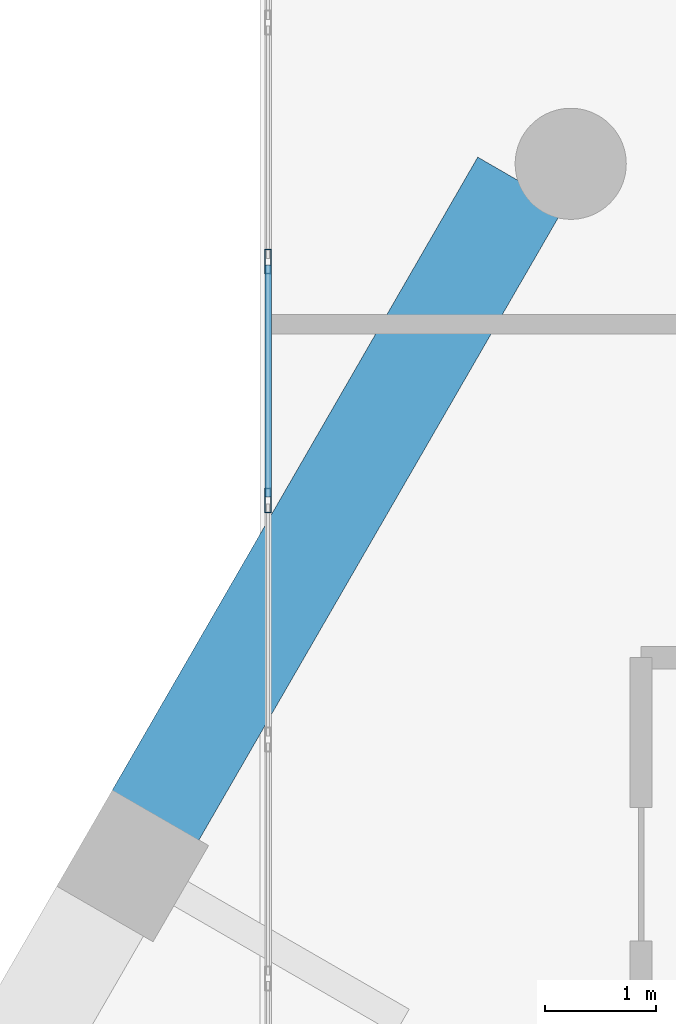
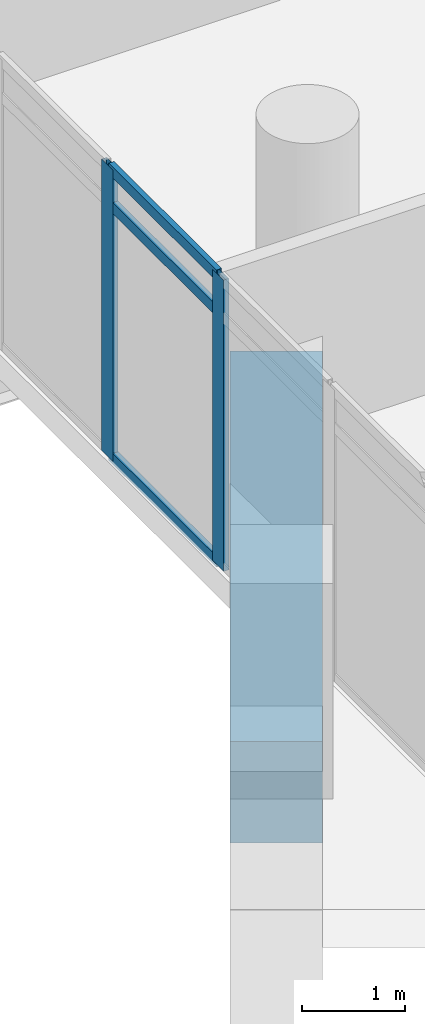
# One storey, part 13 of 29: 5 members, 1 beam, 1 element without a shape of its own.
"""IFC4 building model written with IfcOpenShell, lengths in metres."""

import ifcopenshell
import ifcopenshell.guid

model = None  # the IFC model being written
_history = None  # IfcOwnerHistory: only IFC2X3 demands one
_inside = {}  # id of a spatial element -> (the spatial element, [elements in it])
_under = {}  # id of a project, library or spatial element -> (it, [spatial elements below it])
_declared = {}  # id of a project -> (the project, [libraries it declares])
_typed = {}  # id of a type object -> (the type object, [elements of that type])
_made_of = {}  # id of a material, layer set ... -> (it, [elements and type objects made of it])


def new_model(schema):
    """Start an empty IFC model of exactly this schema.

    Asked for "IFC4X3", IfcOpenShell would pick the latest addendum, in which some entities
    have other attributes; the version numbers below select the first issue.
    IFC2X3 requires an IfcOwnerHistory on every rooted entity: one is made here for all.
    """
    global model, _history
    if schema == "IFC4X3":
        model = ifcopenshell.file(schema_version=(4, 3, 0, 0))
    else:
        model = ifcopenshell.file(schema=schema)
    _inside.clear()
    _under.clear()
    _declared.clear()
    _typed.clear()
    _made_of.clear()
    _history = None
    if model.schema == "IFC2X3":
        org = make("IfcOrganization", Name="unknown")
        user = make(
            "IfcPersonAndOrganization",
            ThePerson=make("IfcPerson", FamilyName="unknown"),
            TheOrganization=org,
        )
        app = make(
            "IfcApplication",
            ApplicationDeveloper=org,
            Version="unknown",
            ApplicationFullName="unknown",
            ApplicationIdentifier="unknown",
        )
        _history = make(
            "IfcOwnerHistory",
            OwningUser=user,
            OwningApplication=app,
            ChangeAction="ADDED",
            CreationDate=0,
        )
    return model


def make(cls, **values):
    """One entity of the class cls with the attributes given. An attribute that is None is left unset."""
    return model.create_entity(
        cls, **{name: value for name, value in values.items() if value is not None}
    )


def rooted(cls, **values):
    """An entity with a GlobalId (a new one), such as an element, a storey or a relation."""
    return make(cls, GlobalId=ifcopenshell.guid.new(), OwnerHistory=_history, **values)


def si_unit(unit_type, name, prefix=None):
    """IfcSIUnit, for example si_unit("LENGTHUNIT", "METRE", prefix="MILLI")."""
    return make("IfcSIUnit", UnitType=unit_type, Prefix=prefix, Name=name)


def assignment(units):
    """IfcUnitAssignment: the units of a project."""
    return None if units is None else make("IfcUnitAssignment", Units=units)


def point(xyz):
    """IfcCartesianPoint."""
    return None if xyz is None else make("IfcCartesianPoint", Coordinates=xyz)


def direction(xyz):
    """IfcDirection."""
    return None if xyz is None else make("IfcDirection", DirectionRatios=xyz)


def frame(location, z_axis=None, x_axis=None):
    """IfcAxis2Placement3D, a coordinate frame: its origin and axes. An axis left out is left unset."""
    return make(
        "IfcAxis2Placement3D",
        Location=point(location),
        Axis=direction(z_axis),
        RefDirection=direction(x_axis),
    )


def frame_2d(location, x_axis=None):
    """IfcAxis2Placement2D, a coordinate frame in the plane: its origin and x axis."""
    return make(
        "IfcAxis2Placement2D", Location=point(location), RefDirection=direction(x_axis)
    )


def origin():
    """The frame at (0, 0, 0) with its axes left unset."""
    return frame((0.0, 0.0, 0.0))


def origin_2d():
    """The frame at (0, 0) in the plane with its x axis left unset."""
    return frame_2d((0.0, 0.0))


def place(relative_to, where):
    """IfcLocalPlacement: puts the frame where relative to a parent placement (None: the world)."""
    return make(
        "IfcLocalPlacement", PlacementRelTo=relative_to, RelativePlacement=where
    )


def context(
    kind, dimensions, precision=None, world=None, true_north=None, identifier=None
):
    """IfcGeometricRepresentationContext, for example the 3D "Model" context."""
    return make(
        "IfcGeometricRepresentationContext",
        ContextIdentifier=identifier,
        ContextType=kind,
        CoordinateSpaceDimension=dimensions,
        Precision=precision,
        WorldCoordinateSystem=world,
        TrueNorth=true_north,
    )


def subcontext(parent, identifier, kind, view, scale=None):
    """IfcGeometricRepresentationSubContext, for example "Body" below "Model"."""
    return make(
        "IfcGeometricRepresentationSubContext",
        ContextIdentifier=identifier,
        ContextType=kind,
        ParentContext=parent,
        TargetScale=scale,
        TargetView=view,
    )


def project(units=None, contexts=None):
    """IfcProject with its units and contexts."""
    return rooted(
        "IfcProject",
        Name="project",
        RepresentationContexts=contexts,
        UnitsInContext=assignment(units),
    )


def spatial(cls, under=None, at=None, **own):
    """A site, building, storey or space (cls), placed at a placement, below another one or the project."""
    s = rooted(cls, ObjectPlacement=at, **own)
    if under is not None:
        _under.setdefault(under.id(), (under, []))[1].append(s)
    return s


def profile(cls, at=None, kind="AREA", **sizes):
    """A parametric profile (cls). Its sizes go by their IFC names, for example OverallWidth=200.0."""
    return make(cls, ProfileType=kind, Position=at, **sizes)


def rectangle(**sizes):
    """IfcRectangleProfileDef."""
    return profile("IfcRectangleProfileDef", **sizes)


def hollow_rectangle(**sizes):
    """IfcRectangleHollowProfileDef."""
    return profile("IfcRectangleHollowProfileDef", **sizes)


def extrude(swept, where, along, depth):
    """IfcExtrudedAreaSolid: the profile swept, set in the frame where, extruded along a direction by depth."""
    return make(
        "IfcExtrudedAreaSolid",
        SweptArea=swept,
        Position=where,
        ExtrudedDirection=direction(along),
        Depth=depth,
    )


def shape(context_of_items, identifier, shape_type, items):
    """IfcShapeRepresentation: the items that make up one representation, for example the "Body"."""
    return make(
        "IfcShapeRepresentation",
        ContextOfItems=context_of_items,
        RepresentationIdentifier=identifier,
        RepresentationType=shape_type,
        Items=items,
    )


def material(Name=None, Category=None):
    """IfcMaterial."""
    return make("IfcMaterial", Name=Name, Category=Category)


def material_profile(
    of_material, cross_section, Name=None, Category=None, Priority=None
):
    """IfcMaterialProfile: a cross section and its material."""
    return make(
        "IfcMaterialProfile",
        Name=Name,
        Material=of_material,
        Profile=cross_section,
        Priority=Priority,
        Category=Category,
    )


def profile_set(profiles, Name=None, composite=None):
    """IfcMaterialProfileSet."""
    return make(
        "IfcMaterialProfileSet",
        Name=Name,
        MaterialProfiles=profiles,
        CompositeProfile=composite,
    )


def made_of(thing, what):
    """Note that an element or type object is made of a material, layer set ...; save() writes the relation."""
    if what is not None:
        _made_of.setdefault(what.id(), (what, []))[1].append(thing)
    return thing


def type_object(cls, material=None, **own):
    """A type object (cls), such as IfcWallType, which elements share."""
    return made_of(rooted(cls, **own), material)


def element(
    cls,
    number,
    at=None,
    inside=None,
    cuts=None,
    type_object=None,
    material=None,
    context=None,
    identifier="Body",
    shape_type=None,
    held_by="IfcProductDefinitionShape",
    body=None,
    shapes=None,
    **own,
):
    """One element of the class cls, such as IfcWall. Its Tag is "e" and its number.

    at: its placement. inside: the storey or other place that contains it. cuts: it is an
    opening in that element (IfcRelVoidsElement). A single representation is given by context,
    identifier, shape_type and body (its items); several are given by shapes. held_by: the class
    of the entity that holds the representations. save() writes the other relations.
    """
    e = rooted(cls, Tag="e%d" % number, ObjectPlacement=at, **own)
    if body is not None:
        shapes = [shape(context, identifier, shape_type, body)]
    if shapes is not None:
        e.Representation = make(held_by, Representations=shapes)
    if inside is not None:
        _inside.setdefault(inside.id(), (inside, []))[1].append(e)
    if cuts is not None:
        rooted(
            "IfcRelVoidsElement", RelatingBuildingElement=cuts, RelatedOpeningElement=e
        )
    if type_object is not None:
        _typed.setdefault(type_object.id(), (type_object, []))[1].append(e)
    return made_of(e, material)


def aggregate(whole, parts):
    """IfcRelAggregates: a whole, such as a stair, and the parts it consists of."""
    return rooted("IfcRelAggregates", RelatingObject=whole, RelatedObjects=parts)


def save(model, path):
    """Write the relations noted so far, then the file.

    IfcRelAggregates (storeys below a building ...), IfcRelContainedInSpatialStructure (elements
    in a storey), IfcRelDefinesByType, IfcRelAssociatesMaterial and IfcRelDeclares: one each for
    every whole, place, type object, material and project.
    """
    for whole, parts in _under.values():
        aggregate(whole, parts)
    for where, things in _inside.values():
        rooted(
            "IfcRelContainedInSpatialStructure",
            RelatedElements=things,
            RelatingStructure=where,
        )
    for kind, things in _typed.values():
        rooted("IfcRelDefinesByType", RelatedObjects=things, RelatingType=kind)
    for what, things in _made_of.values():
        rooted("IfcRelAssociatesMaterial", RelatedObjects=things, RelatingMaterial=what)
    for by, libraries in _declared.values():
        rooted("IfcRelDeclares", RelatingContext=by, RelatedDefinitions=libraries)
    model.write(path)


model = new_model("IFC4")

# Units and contexts
model_context = context("Model", 3, precision=1e-05, world=origin(), true_north=direction((0.0, 1.0)))
body_context = subcontext(model_context, "Body", "Model", "MODEL_VIEW")
ifc_project = project(units=[si_unit("LENGTHUNIT", "METRE"), si_unit("AREAUNIT", "SQUARE_METRE"), si_unit("VOLUMEUNIT", "CUBIC_METRE"), si_unit("PLANEANGLEUNIT", "RADIAN"), si_unit("MASSUNIT", "GRAM", prefix="KILO")], contexts=[model_context])

# Site, building, storey
site_placement = place(None, origin())
site = spatial("IfcSite", under=ifc_project, at=site_placement, CompositionType="ELEMENT")
building_placement = place(site_placement, origin())
building = spatial("IfcBuilding", under=site, at=building_placement, Name="Ostrander Bayou Hotel Tower", CompositionType="ELEMENT")
storey_placement = place(building_placement, frame((0.0, 0.0, 202.0)))
storey = spatial("IfcBuildingStorey", under=building, at=storey_placement, Name="L50", CompositionType="ELEMENT", Elevation=202.0)

# Curtain wall, members
ifc_material_1 = material(Name="Aluminium and clear glass", Category="aluminium")
curtain_wall_type = type_object("IfcCurtainWallType", Name="CW-BAR glazed wall", PredefinedType="NOTDEFINED", material=ifc_material_1)
curtain_wall_placement = place(storey_placement, origin())
curtain_wall = element("IfcCurtainWall", 1, at=curtain_wall_placement, inside=storey, type_object=curtain_wall_type, Name="CW-BAR L50:SB4N:E", PredefinedType="NOTDEFINED")
ifc_material_2 = material(Name="Aluminium", Category="aluminium")
ifc_material_profile_1 = material_profile(ifc_material_2, hollow_rectangle(XDim=0.06005859375, YDim=0.219970703125, WallThickness=0.00390625, at=origin_2d()))
ifc_profile_set_1 = profile_set([ifc_material_profile_1], Name="Aluminium")
member_type_1 = type_object("IfcMemberType", Name="CW-BR mullion 60 x 220 mm", PredefinedType="MULLION", material=ifc_profile_set_1)
member_1_placement = place(storey_placement, frame((-11.857177734375, 15.014892578125, 0.0), z_axis=(0.0, 0.0, 1.0), x_axis=(-1.0, 0.0, 0.0)))
member_1 = element("IfcMember", 2, at=member_1_placement, type_object=member_type_1, Name="CW-BAR mullion 4", PredefinedType="MULLION", context=body_context, shape_type="SweptSolid", body=[
    extrude(hollow_rectangle(XDim=0.06005859375, YDim=0.219970703125, WallThickness=0.00390625, at=origin_2d()), origin(), (0.0, 0.0, 1.0), 3.449951171875),
])
member_2_placement = place(storey_placement, frame((-11.857177734375, 17.1650390625, 0.0), z_axis=(0.0, 0.0, 1.0), x_axis=(-1.0, 0.0, 0.0)))
member_2 = element("IfcMember", 3, at=member_2_placement, type_object=member_type_1, Name="CW-BAR mullion 5", PredefinedType="MULLION", context=body_context, shape_type="SweptSolid", body=[
    extrude(hollow_rectangle(XDim=0.06005859375, YDim=0.219970703125, WallThickness=0.00390625, at=origin_2d()), origin(), (0.0, 0.0, 1.0), 3.449951171875),
])
ifc_material_3 = material(Name="Aluminium", Category="aluminium")
ifc_material_profile_2 = material_profile(ifc_material_3, hollow_rectangle(XDim=0.06005859375, YDim=0.1298828125, WallThickness=0.00390625, at=origin_2d()))
ifc_profile_set_2 = profile_set([ifc_material_profile_2], Name="Aluminium")
member_type_2 = type_object("IfcMemberType", Name="CW-BR transom 60 x 130 mm", PredefinedType="USERDEFINED", material=ifc_profile_set_2)
member_3_placement = place(storey_placement, frame((-11.857177734375, 15.044921875, 0.030029296875), z_axis=(0.0, 1.0, 0.0), x_axis=(-1.0, 0.0, 0.0)))
member_3 = element("IfcMember", 4, at=member_3_placement, type_object=member_type_2, Name="CW-BAR transom 4.1", ObjectType="TRANSOM", PredefinedType="USERDEFINED", context=body_context, shape_type="SweptSolid", body=[
    extrude(hollow_rectangle(XDim=0.06005859375, YDim=0.1298828125, WallThickness=0.00390625, at=origin_2d()), origin(), (0.0, 0.0, 1.0), 2.09033203125),
])
member_4_placement = place(storey_placement, frame((-11.857177734375, 15.044921875, 3.0), z_axis=(0.0, 1.0, 0.0), x_axis=(-1.0, 0.0, 0.0)))
member_4 = element("IfcMember", 5, at=member_4_placement, type_object=member_type_2, Name="CW-BAR transom 4.2", ObjectType="TRANSOM", PredefinedType="USERDEFINED", context=body_context, shape_type="SweptSolid", body=[
    extrude(hollow_rectangle(XDim=0.06005859375, YDim=0.1298828125, WallThickness=0.00390625, at=origin_2d()), origin(), (0.0, 0.0, 1.0), 2.09033203125),
])
member_5_placement = place(storey_placement, frame((-11.857177734375, 15.044921875, 3.419921875), z_axis=(0.0, 1.0, 0.0), x_axis=(-1.0, 0.0, 0.0)))
member_5 = element("IfcMember", 6, at=member_5_placement, type_object=member_type_2, Name="CW-BAR transom 4.3", ObjectType="TRANSOM", PredefinedType="USERDEFINED", context=body_context, shape_type="SweptSolid", body=[
    extrude(hollow_rectangle(XDim=0.06005859375, YDim=0.1298828125, WallThickness=0.00390625, at=origin_2d()), origin(), (0.0, 0.0, 1.0), 2.09033203125),
])
aggregate(curtain_wall, [member_1, member_2, member_3, member_4, member_5])

# Beam
ifc_material_4 = material(Name="Concrete f'c 60 MPa", Category="concrete")
ifc_material_profile_3 = material_profile(ifc_material_4, rectangle(XDim=0.89990234375, YDim=1.199951171875, at=origin_2d()))
ifc_profile_set_3 = profile_set([ifc_material_profile_3], Name="Concrete f'c 60 MPa")
beam_type = type_object("IfcBeamType", Name="SP3 spandrel beam 900 x 1200 mm f'c 60 MPa", PredefinedType="SPANDREL", material=ifc_profile_set_3)
beam_placement = place(storey_placement, frame((-9.58056640625, 17.88037109375, -0.60009765625), z_axis=(-0.499994358189, -0.866028661061, 0.0), x_axis=(0.866028661061, -0.499994358189, 0.0)))
element("IfcBeam", 7, at=beam_placement, inside=storey, type_object=beam_type, Name="SP3 L50 NW-1", PredefinedType="SPANDREL", context=body_context, shape_type="SweptSolid", body=[
    extrude(rectangle(XDim=0.89990234375, YDim=1.199951171875, at=origin_2d()), origin(), (0.0, 0.0, 1.0), 6.6064453125),
])

save(model, "model.ifc")
